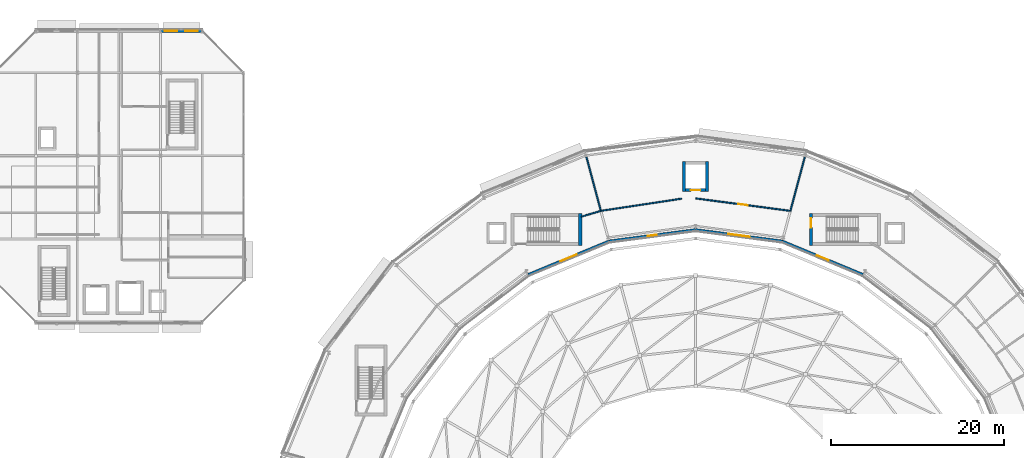
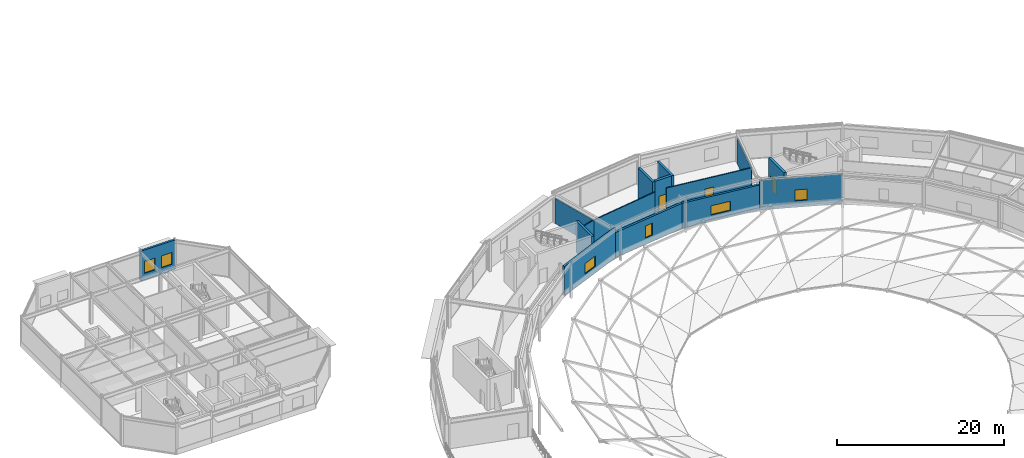
# One storey, part 64 of 89: 15 walls, 6 windows, 3 doors, 9 openings.
"""IFC4 building model written with IfcOpenShell, lengths in metres."""

from ifc_helpers import new_model, si_unit, direction, frame, frame_2d, origin, place, context, subcontext, project, spatial, rectangle, extrude, material, layer, layer_set, type_object, element, fill, save


model = new_model("IFC4")

# Units and contexts
model_context = context("Model", 3, precision=1e-05, world=origin(), true_north=direction((0.0, 1.0)))
body_context = subcontext(model_context, "Body", "Model", "MODEL_VIEW")
ifc_project = project(units=[si_unit("LENGTHUNIT", "METRE"), si_unit("AREAUNIT", "SQUARE_METRE"), si_unit("VOLUMEUNIT", "CUBIC_METRE"), si_unit("PLANEANGLEUNIT", "RADIAN"), si_unit("MASSUNIT", "GRAM", prefix="KILO")], contexts=[model_context])

# Site, building, storey
site_placement = place(None, origin())
site = spatial("IfcSite", under=ifc_project, at=site_placement, CompositionType="ELEMENT")
building_placement = place(site_placement, origin())
building = spatial("IfcBuilding", under=site, at=building_placement, Name="Almandine Court Research Institute", CompositionType="ELEMENT")
storey_placement = place(building_placement, frame((0.0, 0.0, 18.89990234375)))
storey = spatial("IfcBuildingStorey", under=building, at=storey_placement, Name="L04", CompositionType="ELEMENT", Elevation=18.89990234375)

# Wall, openings, windows
ifc_material_1 = material(Name="Insulated Ochre Terracotta Rainscreen Wall", Category="masonry")
ifc_layer_1 = layer(ifc_material_1, 0.2900390625)
ifc_layer_set_1 = layer_set([ifc_layer_1], Name="Insulated Ochre Terracotta Rainscreen Wall")
wall_type_1 = type_object("IfcWallType", Name="Wall-EXT-TERR-290", PredefinedType="SOLIDWALL", material=ifc_layer_set_1)
wall_1_placement = place(storey_placement, frame((25.2041015625, 117.60009765625, 0.0), z_axis=(0.0, 0.0, 1.0), x_axis=(1.0, 0.0, 0.0)))
wall_1 = element("IfcWall", 1, at=wall_1_placement, inside=storey, type_object=wall_type_1, Name="L04 Cleanroom North Wall 3", PredefinedType="SOLIDWALL", context=body_context, shape_type="SweptSolid", body=[
    extrude(rectangle(XDim=4.7919921875, YDim=0.2900390625, at=frame_2d((2.39599609375, 0.0))), origin(), (0.0, 0.0, 1.0), 4.3701171875),
])
opening_1_placement = place(wall_1_placement, frame((0.472900390625, 0.0, 0.949951171875)))
opening_1 = element("IfcOpeningElement", 2, at=opening_1_placement, cuts=wall_1, Name="Opening WN-37", PredefinedType="OPENING", context=body_context, shape_type="SweptSolid", body=[
    extrude(rectangle(XDim=1.449951171875, YDim=1.75, at=frame_2d((0.72509765625, 0.875))), frame((0.0, 0.155029296875, 0.0), z_axis=(0.0, -1.0, 0.0), x_axis=(1.0, 0.0, 0.0)), (0.0, 0.0, 1.0), 0.31005859375),
])
opening_2_placement = place(wall_1_placement, frame((2.868896484375, 0.0, 0.949951171875)))
opening_2 = element("IfcOpeningElement", 3, at=opening_2_placement, cuts=wall_1, Name="Opening WN-37", PredefinedType="OPENING", context=body_context, shape_type="SweptSolid", body=[
    extrude(rectangle(XDim=1.449951171875, YDim=1.75, at=frame_2d((0.72509765625, 0.875))), frame((0.0, 0.155029296875, 0.0), z_axis=(0.0, -1.0, 0.0), x_axis=(1.0, 0.0, 0.0)), (0.0, 0.0, 1.0), 0.31005859375),
])
ifc_material_2 = material(Name="Thermally Broken Low-E Double-Glazed Window", Category="glass")
window_type_1 = type_object("IfcWindowType", Name="Win-WN-37-1450x1750", PartitioningType="SINGLE_PANEL", PredefinedType="WINDOW", material=ifc_material_2)
window_1_placement = place(opening_1_placement, origin())
window_1 = element("IfcWindow", 4, at=window_1_placement, inside=storey, type_object=window_type_1, Name="L04 Modular Recessed Low-E Window 56", OverallHeight=1.75, OverallWidth=1.449951171875, PartitioningType="SINGLE_PANEL", PredefinedType="WINDOW", context=body_context, shape_type="SweptSolid", body=[
    extrude(rectangle(XDim=1.449951171875, YDim=1.75, at=frame_2d((0.72509765625, 0.875))), frame((0.0, 0.030029296875, 0.0), z_axis=(0.0, -1.0, 0.0), x_axis=(1.0, 0.0, 0.0)), (0.0, 0.0, 1.0), 0.06005859375),
])
fill(opening_1, window_1)
window_2_placement = place(opening_2_placement, origin())
window_2 = element("IfcWindow", 5, at=window_2_placement, inside=storey, type_object=window_type_1, Name="L04 Modular Recessed Low-E Window 57", OverallHeight=1.75, OverallWidth=1.449951171875, PartitioningType="SINGLE_PANEL", PredefinedType="WINDOW", context=body_context, shape_type="SweptSolid", body=[
    extrude(rectangle(XDim=1.449951171875, YDim=1.75, at=frame_2d((0.72509765625, 0.875))), frame((0.0, 0.030029296875, 0.0), z_axis=(0.0, -1.0, 0.0), x_axis=(1.0, 0.0, 0.0)), (0.0, 0.0, 1.0), 0.06005859375),
])
fill(opening_2, window_2)

# Wall, opening, window
wall_2_placement = place(storey_placement, frame((106.324951171875, 89.48291015625, 0.0), z_axis=(0.0, 0.0, 1.0), x_axis=(-0.92385889973, 0.382733240508, 0.0)))
wall_2 = element("IfcWall", 6, at=wall_2_placement, inside=storey, type_object=wall_type_1, Name="L04 Drum Inner Gallery Wall 04", PredefinedType="SOLIDWALL", context=body_context, shape_type="SweptSolid", body=[
    extrude(rectangle(XDim=10.08056640625, YDim=0.2900390625, at=frame_2d((5.040283203125, 0.0))), origin(), (0.0, 0.0, 1.0), 4.31005859375),
])
opening_3_placement = place(wall_2_placement, frame((4.294921875, 0.0, 0.949951171875)))
opening_3 = element("IfcOpeningElement", 7, at=opening_3_placement, cuts=wall_2, Name="Opening WN-38", PredefinedType="OPENING", context=body_context, shape_type="SweptSolid", body=[
    extrude(rectangle(XDim=1.489990234375, YDim=1.590087890625, at=frame_2d((0.7451171875, 0.794921875))), frame((0.0, 0.155029296875, 0.0), z_axis=(0.0, -1.0, 0.0), x_axis=(1.0, 0.0, 0.0)), (0.0, 0.0, 1.0), 0.31005859375),
])
window_type_2 = type_object("IfcWindowType", Name="Win-WN-38-1490x1590", PartitioningType="SINGLE_PANEL", PredefinedType="WINDOW", material=ifc_material_2)
window_3_placement = place(opening_3_placement, origin())
window_3 = element("IfcWindow", 8, at=window_3_placement, inside=storey, type_object=window_type_2, Name="L04 Modular Recessed Low-E Window 298", OverallHeight=1.590087890625, OverallWidth=1.489990234375, PartitioningType="SINGLE_PANEL", PredefinedType="WINDOW", context=body_context, shape_type="SweptSolid", body=[
    extrude(rectangle(XDim=1.489990234375, YDim=1.590087890625, at=frame_2d((0.7451171875, 0.794921875))), frame((0.0, 0.030029296875, 0.0), z_axis=(0.0, -1.0, 0.0), x_axis=(1.0, 0.0, 0.0)), (0.0, 0.0, 1.0), 0.06005859375),
])
fill(opening_3, window_3)

wall_3_placement = place(storey_placement, frame((97.0, 93.343994140625, 0.0), z_axis=(0.0, 0.0, 1.0), x_axis=(-0.991454872597, 0.130450126879, 0.0)))
wall_3 = element("IfcWall", 9, at=wall_3_placement, inside=storey, type_object=wall_type_1, Name="L04 Drum Inner Gallery Wall 05", PredefinedType="SOLIDWALL", context=body_context, shape_type="SweptSolid", body=[
    extrude(rectangle(XDim=10.080078125, YDim=0.2900390625, at=frame_2d((5.0400390625, 0.0))), origin(), (0.0, 0.0, 1.0), 3.672119140625),
])
opening_4_placement = place(wall_3_placement, frame((3.800048828125, 0.0, 0.949951171875)))
opening_4 = element("IfcOpeningElement", 10, at=opening_4_placement, cuts=wall_3, Name="Opening WN-109", PredefinedType="OPENING", context=body_context, shape_type="SweptSolid", body=[
    extrude(rectangle(XDim=2.47998046875, YDim=1.35009765625, at=frame_2d((1.239990234375, 0.675048828125))), frame((0.0, 0.155029296875, 0.0), z_axis=(0.0, -1.0, 0.0), x_axis=(1.0, 0.0, 0.0)), (0.0, 0.0, 1.0), 0.31005859375),
])
window_type_3 = type_object("IfcWindowType", Name="Win-WN-109-2480x1350", PartitioningType="SINGLE_PANEL", PredefinedType="WINDOW", material=ifc_material_2)
window_4_placement = place(opening_4_placement, origin())
window_4 = element("IfcWindow", 11, at=window_4_placement, inside=storey, type_object=window_type_3, Name="L04 Modular Recessed Low-E Window 301", OverallHeight=1.35009765625, OverallWidth=2.47998046875, PartitioningType="SINGLE_PANEL", PredefinedType="WINDOW", context=body_context, shape_type="SweptSolid", body=[
    extrude(rectangle(XDim=2.47998046875, YDim=1.35009765625, at=frame_2d((1.239990234375, 0.675048828125))), frame((0.0, 0.030029296875, 0.0), z_axis=(0.0, -1.0, 0.0), x_axis=(1.0, 0.0, 0.0)), (0.0, 0.0, 1.0), 0.06005859375),
])
fill(opening_4, window_4)

wall_4_placement = place(storey_placement, frame((86.993896484375, 94.658935546875, 0.0), z_axis=(0.0, 0.0, 1.0), x_axis=(-0.991454872597, -0.130450126879, 0.0)))
wall_4 = element("IfcWall", 12, at=wall_4_placement, inside=storey, type_object=wall_type_1, Name="L04 Drum Inner Gallery Wall 06", PredefinedType="SOLIDWALL", context=body_context, shape_type="SweptSolid", body=[
    extrude(rectangle(XDim=10.080078125, YDim=0.2900390625, at=frame_2d((5.0400390625, 0.0))), origin(), (0.0, 0.0, 1.0), 3.672119140625),
])
opening_5_placement = place(wall_4_placement, frame((4.514892578125, 0.0, 0.949951171875)))
opening_5 = element("IfcOpeningElement", 13, at=opening_5_placement, cuts=wall_4, Name="Opening WN-121", PredefinedType="OPENING", context=body_context, shape_type="SweptSolid", body=[
    extrude(rectangle(XDim=1.050048828125, YDim=1.75, at=frame_2d((0.52490234375, 0.875))), frame((0.0, 0.155029296875, 0.0), z_axis=(0.0, -1.0, 0.0), x_axis=(1.0, 0.0, 0.0)), (0.0, 0.0, 1.0), 0.31005859375),
])
window_type_4 = type_object("IfcWindowType", Name="Win-WN-121-1050x1750", PartitioningType="SINGLE_PANEL", PredefinedType="WINDOW", material=ifc_material_2)
window_5_placement = place(opening_5_placement, origin())
window_5 = element("IfcWindow", 14, at=window_5_placement, inside=storey, type_object=window_type_4, Name="L04 Modular Recessed Low-E Window 302", OverallHeight=1.75, OverallWidth=1.050048828125, PartitioningType="SINGLE_PANEL", PredefinedType="WINDOW", context=body_context, shape_type="SweptSolid", body=[
    extrude(rectangle(XDim=1.050048828125, YDim=1.75, at=frame_2d((0.52490234375, 0.875))), frame((0.0, 0.030029296875, 0.0), z_axis=(0.0, -1.0, 0.0), x_axis=(1.0, 0.0, 0.0)), (0.0, 0.0, 1.0), 0.06005859375),
])
fill(opening_5, window_5)

wall_5_placement = place(storey_placement, frame((76.988037109375, 93.341064453125, 0.0), z_axis=(0.0, 0.0, 1.0), x_axis=(-0.92385889973, -0.382733240508, 0.0)))
wall_5 = element("IfcWall", 15, at=wall_5_placement, inside=storey, type_object=wall_type_1, Name="L04 Drum Inner Gallery Wall 07", PredefinedType="SOLIDWALL", context=body_context, shape_type="SweptSolid", body=[
    extrude(rectangle(XDim=10.08056640625, YDim=0.2900390625, at=frame_2d((5.040283203125, 0.0))), origin(), (0.0, 0.0, 1.0), 4.31005859375),
])
opening_6_placement = place(wall_5_placement, frame((4.02001953125, 0.0, 0.949951171875)))
opening_6 = element("IfcOpeningElement", 16, at=opening_6_placement, cuts=wall_5, Name="Opening WN-24", PredefinedType="OPENING", context=body_context, shape_type="SweptSolid", body=[
    extrude(rectangle(XDim=2.0400390625, YDim=1.510009765625, at=frame_2d((1.02001953125, 0.7548828125))), frame((0.0, 0.155029296875, 0.0), z_axis=(0.0, -1.0, 0.0), x_axis=(1.0, 0.0, 0.0)), (0.0, 0.0, 1.0), 0.31005859375),
])
window_type_5 = type_object("IfcWindowType", Name="Win-WN-24-2040x1510", PartitioningType="SINGLE_PANEL", PredefinedType="WINDOW", material=ifc_material_2)
window_6_placement = place(opening_6_placement, origin())
window_6 = element("IfcWindow", 17, at=window_6_placement, inside=storey, type_object=window_type_5, Name="L04 Modular Recessed Low-E Window 305", OverallHeight=1.510009765625, OverallWidth=2.0400390625, PartitioningType="SINGLE_PANEL", PredefinedType="WINDOW", context=body_context, shape_type="SweptSolid", body=[
    extrude(rectangle(XDim=2.0400390625, YDim=1.510009765625, at=frame_2d((1.02001953125, 0.7548828125))), frame((0.0, 0.030029296875, 0.0), z_axis=(0.0, -1.0, 0.0), x_axis=(1.0, 0.0, 0.0)), (0.0, 0.0, 1.0), 0.06005859375),
])
fill(opening_6, window_6)

# Wall, opening, door
ifc_material_3 = material(Name="Acoustic Steel-Stud Gypsum Partition Wall", Category="steel")
ifc_layer_2 = layer(ifc_material_3, 0.14990234375)
ifc_layer_set_2 = layer_set([ifc_layer_2], Name="Acoustic Steel-Stud Gypsum Partition Wall")
wall_type_2 = type_object("IfcWallType", Name="Wall-PART-150", PredefinedType="PARTITIONING", material=ifc_layer_set_2)
wall_6_placement = place(storey_placement, frame((97.943115234375, 96.839111328125, 0.0), z_axis=(0.0, 0.0, 1.0), x_axis=(-0.991442170204, 0.130546632054, 0.0)))
wall_6 = element("IfcWall", 18, at=wall_6_placement, inside=storey, type_object=wall_type_2, Name="L04 Interior Partition W-V5-L04-CHD-05", PredefinedType="PARTITIONING", context=body_context, shape_type="SweptSolid", body=[
    extrude(rectangle(XDim=11.03759765625, YDim=0.14990234375, at=frame_2d((5.518798828125, 0.0))), origin(), (0.0, 0.0, 1.0), 3.676025390625),
])
opening_7_placement = place(wall_6_placement, frame((4.949951171875, 0.0, 0.0)))
opening_7 = element("IfcOpeningElement", 19, at=opening_7_placement, cuts=wall_6, Name="Opening D-03", PredefinedType="OPENING", context=body_context, shape_type="SweptSolid", body=[
    extrude(rectangle(XDim=1.10009765625, YDim=2.199951171875, at=frame_2d((0.550048828125, 1.10009765625))), frame((0.0, 0.0849609375, 0.0), z_axis=(0.0, -1.0, 0.0), x_axis=(1.0, 0.0, 0.0)), (0.0, 0.0, 1.0), 0.169921875),
])
ifc_material_4 = material(Name="Acoustic Vision-Panel Seminar Door")
door_type_1 = type_object("IfcDoorType", Name="Door-INT-1100", OperationType="NOTDEFINED", PredefinedType="DOOR", material=ifc_material_4)
door_1_placement = place(opening_7_placement, origin())
door_1 = element("IfcDoor", 20, at=door_1_placement, inside=storey, type_object=door_type_1, Name="L04 Drum Computational Research Laboratory Door", OperationType="SINGLE_SWING_LEFT", OverallHeight=2.199951171875, OverallWidth=1.10009765625, PredefinedType="DOOR", context=body_context, shape_type="SweptSolid", body=[
    extrude(rectangle(XDim=1.10009765625, YDim=2.199951171875, at=frame_2d((0.550048828125, 1.10009765625))), frame((0.0, 0.02490234375, 0.0), z_axis=(0.0, -1.0, 0.0), x_axis=(1.0, 0.0, 0.0)), (0.0, 0.0, 1.0), 0.050048828125),
])
fill(opening_7, door_1)

# Walls
wall_7_placement = place(storey_placement, frame((85.376953125, 98.2490234375, 0.0), z_axis=(0.0, 0.0, 1.0), x_axis=(-0.988750352389, -0.149575200656, 0.0)))
element("IfcWall", 21, at=wall_7_placement, inside=storey, type_object=wall_type_2, Name="L04 Interior Partition W-V5-L04-CHD-06", PredefinedType="PARTITIONING", context=body_context, shape_type="SweptSolid", body=[
    extrude(rectangle(XDim=9.426025390625, YDim=0.14990234375, at=frame_2d((4.712890625, 0.0))), origin(), (0.0, 0.0, 1.0), 3.676025390625),
])
wall_8_placement = place(storey_placement, frame((76.056884765625, 96.839111328125, 0.0), z_axis=(0.0, 0.0, 1.0), x_axis=(-0.95838508169, -0.285478607244, 0.0)))
element("IfcWall", 22, at=wall_8_placement, inside=storey, type_object=wall_type_2, Name="L04 Interior Partition W-V5-L04-CHD-07", PredefinedType="PARTITIONING", context=body_context, shape_type="SweptSolid", body=[
    extrude(rectangle(XDim=2.361083984375, YDim=0.14990234375, at=frame_2d((1.1806640625, 0.0))), origin(), (0.0, 0.0, 1.0), 3.676025390625),
])
for number, where, z_axis, x_axis, name in (
    (23, (97.943115234375, 96.839111328125, 0.0), (0.0, 0.0, 1.0), (0.258832719409, 0.965922162166, 0.0), "L04 Interior Partition W-V5-L04-RAD-05"),
    (24, (76.056884765625, 96.839111328125, 0.0), (0.0, 0.0, 1.0), (-0.258832719409, 0.965922162166, 0.0), "L04 Interior Partition W-V5-L04-RAD-07"),
):
    element("IfcWall", number, at=place(storey_placement, frame(where, z_axis=z_axis, x_axis=x_axis)), inside=storey, type_object=wall_type_2, Name=name, PredefinedType="PARTITIONING", context=body_context, shape_type="SweptSolid", body=[
        extrude(rectangle(XDim=6.4404296875, YDim=0.14990234375, at=frame_2d((3.22021484375, 0.0))), origin(), (0.0, 0.0, 1.0), 3.676025390625),
    ])

# Wall, opening, door
ifc_material_5 = material(Name="Concrete C40/50", Category="concrete")
ifc_layer_3 = layer(ifc_material_5, 0.35009765625)
ifc_layer_set_3 = layer_set([ifc_layer_3], Name="Concrete C40/50")
wall_type_3 = type_object("IfcWallType", Name="Wall-SW-CORE-350", PredefinedType="SHEAR", material=ifc_layer_set_3)
wall_9_placement = place(storey_placement, frame((100.324951171875, 92.85009765625, 0.0), z_axis=(0.0, 0.0, 1.0), x_axis=(0.0, 1.0, 0.0)))
wall_9 = element("IfcWall", 25, at=wall_9_placement, inside=storey, type_object=wall_type_3, Name="L04 ST-09 W Shear Wall", PredefinedType="SHEAR", context=body_context, shape_type="SweptSolid", body=[
    extrude(rectangle(XDim=3.699951171875, YDim=0.35009765625, at=frame_2d((1.85009765625, 0.0))), origin(), (0.0, 0.0, 1.0), 4.550048828125),
])
opening_8_placement = place(wall_9_placement, frame((2.050048828125, 0.0, 0.0)))
opening_8 = element("IfcOpeningElement", 26, at=opening_8_placement, cuts=wall_9, Name="Opening FD-STAIR", PredefinedType="OPENING", context=body_context, shape_type="SweptSolid", body=[
    extrude(rectangle(XDim=1.10009765625, YDim=2.14990234375, at=frame_2d((0.550048828125, 1.074951171875))), frame((0.0, 0.18505859375, 0.0), z_axis=(0.0, -1.0, 0.0), x_axis=(1.0, 0.0, 0.0)), (0.0, 0.0, 1.0), 0.3701171875),
])
ifc_material_6 = material(Name="Self-Closing Steel Exit Stair Fire Door", Category="steel")
door_type_2 = type_object("IfcDoorType", Name="Door-FD-STAIR-1100", OperationType="NOTDEFINED", PredefinedType="DOOR", material=ifc_material_6)
door_2_placement = place(opening_8_placement, origin())
door_2 = element("IfcDoor", 27, at=door_2_placement, inside=storey, type_object=door_type_2, Name="L04 Exit Stair ST-09 Fire Door", OperationType="SINGLE_SWING_RIGHT", OverallHeight=2.14990234375, OverallWidth=1.10009765625, PredefinedType="DOOR", context=body_context, shape_type="SweptSolid", body=[
    extrude(rectangle(XDim=1.10009765625, YDim=2.14990234375, at=frame_2d((0.550048828125, 1.074951171875))), frame((0.0, 0.02490234375, 0.0), z_axis=(0.0, -1.0, 0.0), x_axis=(1.0, 0.0, 0.0)), (0.0, 0.0, 1.0), 0.050048828125),
])
fill(opening_8, door_2)

# Walls
wall_10_placement = place(storey_placement, frame((73.675048828125, 96.550048828125, 0.0), z_axis=(0.0, 0.0, 1.0), x_axis=(0.0, -1.0, 0.0)))
element("IfcWall", 28, at=wall_10_placement, inside=storey, type_object=wall_type_3, Name="L04 ST-10 E Shear Wall", PredefinedType="SHEAR", context=body_context, shape_type="SweptSolid", body=[
    extrude(rectangle(XDim=3.699951171875, YDim=0.35009765625, at=frame_2d((1.85009765625, 0.0))), origin(), (0.0, 0.0, 1.0), 4.550048828125),
])
for number, where, z_axis, x_axis, name in (
    (29, (85.675048828125, 99.050048828125, 0.0), (0.0, 0.0, 1.0), (0.0, 1.0, 0.0), "L04 PL-04 Hoistway W Shear Wall"),
    (30, (88.324951171875, 102.550048828125, 0.0), (0.0, 0.0, 1.0), (0.0, -1.0, 0.0), "L04 PL-04 Hoistway E Shear Wall"),
):
    element("IfcWall", number, at=place(storey_placement, frame(where, z_axis=z_axis, x_axis=x_axis)), inside=storey, type_object=wall_type_3, Name=name, PredefinedType="SHEAR", context=body_context, shape_type="SweptSolid", body=[
        extrude(rectangle(XDim=3.5, YDim=0.35009765625, at=frame_2d((1.75, 0.0))), origin(), (0.0, 0.0, 1.0), 4.550048828125),
    ])

# Wall, opening, door
wall_11_placement = place(storey_placement, frame((88.14990234375, 99.22509765625, 0.0), z_axis=(0.0, 0.0, 1.0), x_axis=(-1.0, 0.0, 0.0)))
wall_11 = element("IfcWall", 31, at=wall_11_placement, inside=storey, type_object=wall_type_3, Name="L04 PL-04 Hoistway S Shear Wall", PredefinedType="SHEAR", context=body_context, shape_type="SweptSolid", body=[
    extrude(rectangle(XDim=2.2998046875, YDim=0.35009765625, at=frame_2d((1.14990234375, 0.0))), origin(), (0.0, 0.0, 1.0), 4.550048828125),
])
opening_9_placement = place(wall_11_placement, frame((0.60009765625, 0.0, 0.0)))
opening_9 = element("IfcOpeningElement", 32, at=opening_9_placement, cuts=wall_11, Name="Opening LD-01", PredefinedType="OPENING", context=body_context, shape_type="SweptSolid", body=[
    extrude(rectangle(XDim=1.10009765625, YDim=2.14990234375, at=frame_2d((0.550048828125, 1.074951171875))), frame((0.0, 0.18505859375, 0.0), z_axis=(0.0, -1.0, 0.0), x_axis=(1.0, 0.0, 0.0)), (0.0, 0.0, 1.0), 0.3701171875),
])
ifc_material_7 = material(Name="Stainless Steel Lift Landing Sliding Door", Category="steel")
door_type_3 = type_object("IfcDoorType", Name="Door-LD-PASS-1100", OperationType="SLIDING_TO_LEFT", PredefinedType="USERDEFINED", material=ifc_material_7)
door_3_placement = place(opening_9_placement, origin())
door_3 = element("IfcDoor", 33, at=door_3_placement, inside=storey, type_object=door_type_3, Name="L04 Dry Laboratory Drum Passenger Lift PL-04 Sliding Landing Door", ObjectType="LANDING DOOR", OperationType="SLIDING_TO_LEFT", OverallHeight=2.14990234375, OverallWidth=1.10009765625, PredefinedType="USERDEFINED", context=body_context, shape_type="SweptSolid", body=[
    extrude(rectangle(XDim=1.10009765625, YDim=2.14990234375, at=frame_2d((0.550048828125, 1.074951171875))), frame((0.0, 0.02490234375, 0.0), z_axis=(0.0, -1.0, 0.0), x_axis=(1.0, 0.0, 0.0)), (0.0, 0.0, 1.0), 0.050048828125),
])
fill(opening_9, door_3)

save(model, "model.ifc")
